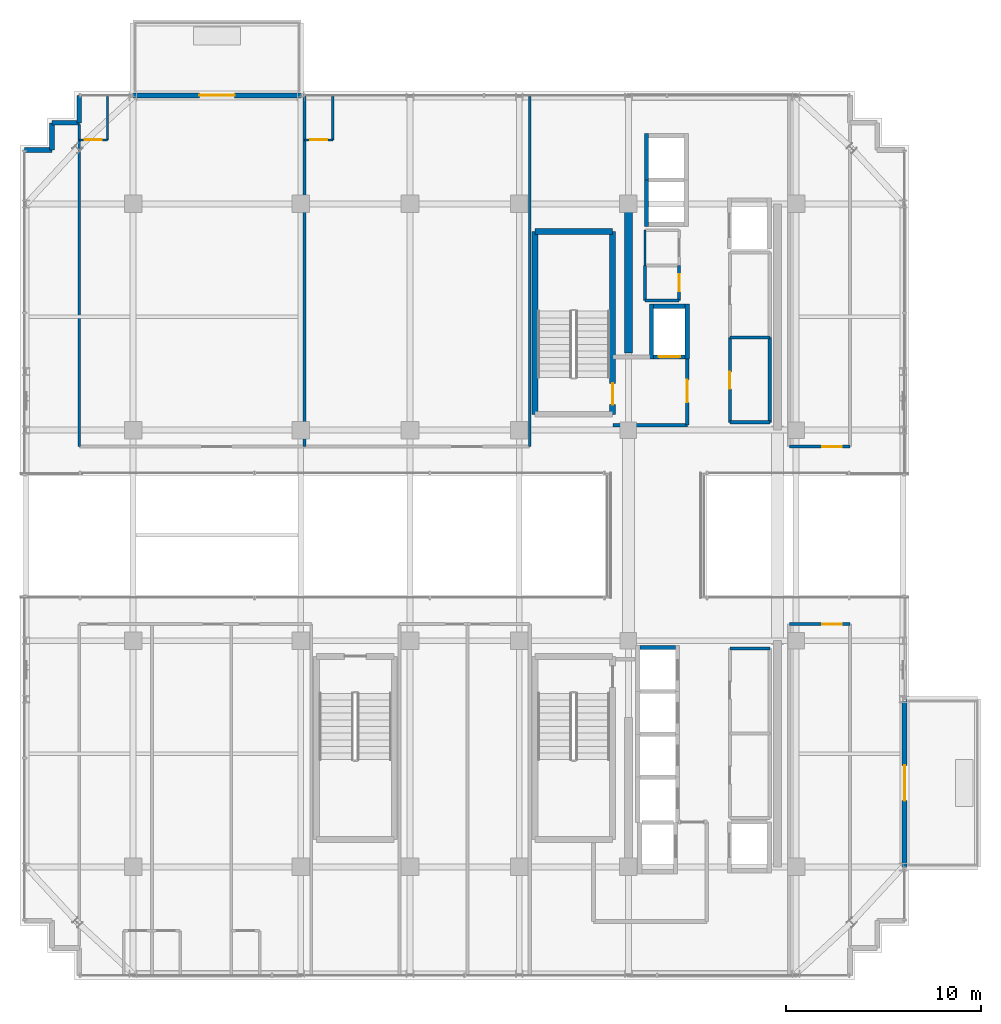
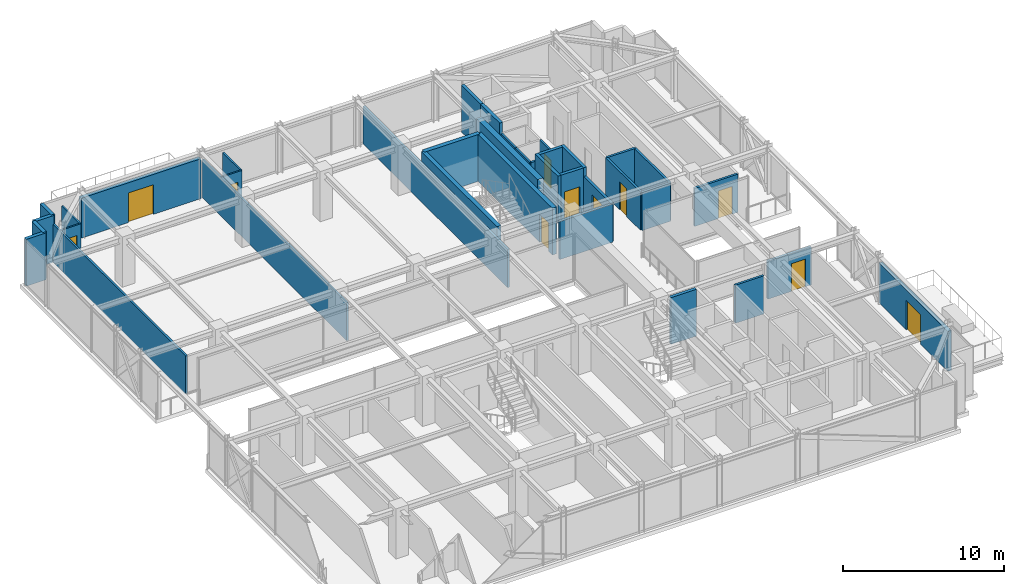
# One storey, part 34 of 39: 37 walls, 11 doors, 11 openings.
"""IFC4 building model written with IfcOpenShell, lengths in metres."""

from ifc_helpers import new_model, si_unit, direction, frame, frame_2d, origin, place, context, subcontext, project, spatial, rectangle, extrude, source, transform, mapped, material, layer, layer_set, type_object, element, fill, save


model = new_model("IFC4")

# Units and contexts
model_context = context("Model", 3, precision=1e-05, world=origin(), true_north=direction((0.0, 1.0)))
body_context = subcontext(model_context, "Body", "Model", "MODEL_VIEW")
ifc_project = project(units=[si_unit("LENGTHUNIT", "METRE"), si_unit("AREAUNIT", "SQUARE_METRE"), si_unit("VOLUMEUNIT", "CUBIC_METRE"), si_unit("PLANEANGLEUNIT", "RADIAN"), si_unit("MASSUNIT", "GRAM", prefix="KILO")], contexts=[model_context])

# Site, building, storey
site_placement = place(None, origin())
site = spatial("IfcSite", under=ifc_project, at=site_placement, CompositionType="ELEMENT")
building_placement = place(site_placement, origin())
building = spatial("IfcBuilding", under=site, at=building_placement, Name="Nahalor Promenade Grand Hotel", CompositionType="ELEMENT")
storey_placement = place(building_placement, frame((0.0, 0.0, 311.89990234375)))
storey = spatial("IfcBuildingStorey", under=building, at=storey_placement, Name="L80", CompositionType="ELEMENT", Elevation=311.89990234375)

# Walls
ifc_material_1 = material(Name="Concrete B-50 (C40/50)", Category="concrete")
ifc_layer_1 = layer(ifc_material_1, 0.39990234375)
ifc_layer_set_1 = layer_set([ifc_layer_1], Name="Concrete B-50 (C40/50)")
wall_type_1 = type_object("IfcWallType", Name="Wall-CoreShear-400", PredefinedType="SHEAR", material=ifc_layer_set_1)
shared_shape_1 = source(origin(), body_context, "Body", "SweptSolid", [
    extrude(rectangle(XDim=7.64990234375, YDim=0.39990234375, at=frame_2d((3.824951171875, 0.0))), origin(), (0.0, 0.0, 1.0), 3.550048828125),
])
wall_1_placement = place(storey_placement, frame((8.39990234375, 9.35009765625, 0.0), z_axis=(0.0, 0.0, 1.0), x_axis=(0.0, 1.0, 0.0)))
element("IfcWall", 1, at=wall_1_placement, inside=storey, type_object=wall_type_1, Name="CWALL-L80-NW", PredefinedType="SHEAR", context=body_context, shape_type="MappedRepresentation", body=[
    mapped(shared_shape_1, transform((0.0, 0.0, 0.0), scale=1.0)),
])
ifc_layer_2 = layer(ifc_material_1, 0.300048828125)
ifc_layer_set_2 = layer_set([ifc_layer_2], Name="Concrete B-50 (C40/50)")
wall_type_2 = type_object("IfcWallType", Name="Wall-ShaftShear-300", PredefinedType="SHEAR", material=ifc_layer_set_2)
shared_shape_2 = source(origin(), body_context, "Body", "SweptSolid", [
    extrude(rectangle(XDim=3.97998046875, YDim=0.300048828125, at=frame_2d((1.989990234375, 0.0))), origin(), (0.0, 0.0, 1.0), 3.550048828125),
])
wall_2_placement = place(storey_placement, frame((3.610107421875, 15.590087890625, 0.0), z_axis=(0.0, 0.0, 1.0), x_axis=(1.0, 0.0, 0.0)))
element("IfcWall", 2, at=wall_2_placement, inside=storey, type_object=wall_type_2, Name="L80 Exit Stair ST1 Shaft Wall N", PredefinedType="SHEAR", context=body_context, shape_type="MappedRepresentation", body=[
    mapped(shared_shape_2, transform((0.0, 0.0, 0.0), scale=1.0)),
])
shared_shape_3 = source(origin(), body_context, "Body", "SweptSolid", [
    extrude(rectangle(XDim=9.380126953125, YDim=0.300048828125, at=frame_2d((4.68994140625, 0.0))), origin(), (0.0, 0.0, 1.0), 3.550048828125),
])
wall_3_placement = place(storey_placement, frame((3.610107421875, 6.2099609375, 0.0), z_axis=(0.0, 0.0, 1.0), x_axis=(0.0, 1.0, 0.0)))
element("IfcWall", 3, at=wall_3_placement, inside=storey, type_object=wall_type_2, Name="L80 Exit Stair ST1 Shaft Wall W", PredefinedType="SHEAR", context=body_context, shape_type="MappedRepresentation", body=[
    mapped(shared_shape_3, transform((0.0, 0.0, 0.0), scale=1.0)),
])

# Wall, opening, door
wall_4_placement = place(storey_placement, frame((7.590087890625, 6.2099609375, 0.0), z_axis=(0.0, 0.0, 1.0), x_axis=(0.0, 1.0, 0.0)))
wall_4 = element("IfcWall", 4, at=wall_4_placement, inside=storey, type_object=wall_type_2, Name="L80 Exit Stair ST1 Shaft Wall E", PredefinedType="SHEAR", context=body_context, shape_type="MappedRepresentation", body=[
    mapped(shared_shape_3, transform((0.0, 0.0, 0.0), scale=1.0)),
])
opening_1_placement = place(wall_4_placement, frame((0.489990234375, 0.0, 0.0)))
opening_1 = element("IfcOpeningElement", 5, at=opening_1_placement, cuts=wall_4, Name="Opening D-ST1", PredefinedType="OPENING", context=body_context, shape_type="SweptSolid", body=[
    extrude(rectangle(XDim=1.10009765625, YDim=2.14990234375, at=frame_2d((0.550048828125, 1.074951171875))), frame((0.0, 0.159912109375, 0.0), z_axis=(0.0, -1.0, 0.0), x_axis=(1.0, 0.0, 0.0)), (0.0, 0.0, 1.0), 0.320068359375),
])
ifc_material_2 = material(Name="Steel S355JR", Category="steel")
door_type_1 = type_object("IfcDoorType", Name="Door-StairFire-1100", OperationType="NOTDEFINED", PredefinedType="DOOR", material=ifc_material_2)
shared_shape_4 = source(origin(), body_context, "Body", "SweptSolid", [
    extrude(rectangle(XDim=1.10009765625, YDim=2.14990234375, at=frame_2d((0.550048828125, 1.074951171875))), frame((0.0, 0.02490234375, 0.0), z_axis=(0.0, -1.0, 0.0), x_axis=(1.0, 0.0, 0.0)), (0.0, 0.0, 1.0), 0.050048828125),
])
door_1_placement = place(opening_1_placement, origin())
door_1 = element("IfcDoor", 6, at=door_1_placement, inside=storey, type_object=door_type_1, Name="DR-STAIR-ST1-L80", OperationType="SINGLE_SWING_LEFT", OverallHeight=2.14990234375, OverallWidth=1.10009765625, PredefinedType="DOOR", context=body_context, shape_type="MappedRepresentation", body=[
    mapped(shared_shape_4, transform((0.0, 0.0, 0.0), scale=1.0)),
])
fill(opening_1, door_1)

# Walls
ifc_layer_3 = layer(ifc_material_1, 0.219970703125)
ifc_layer_set_3 = layer_set([ifc_layer_3], Name="Concrete B-50 (C40/50)")
wall_type_3 = type_object("IfcWallType", Name="Wall-LiftShaft-220", PredefinedType="SHEAR", material=ifc_layer_set_3)
shared_shape_5 = source(origin(), body_context, "Body", "SweptSolid", [
    extrude(rectangle(XDim=1.820068359375, YDim=0.219970703125, at=frame_2d((0.91015625, 0.0))), origin(), (0.0, 0.0, 1.0), 3.550048828125),
])
wall_5_placement = place(storey_placement, frame((8.989990234375, -5.75, 0.0), z_axis=(0.0, 0.0, 1.0), x_axis=(1.0, 0.0, 0.0)))
element("IfcWall", 7, at=wall_5_placement, inside=storey, type_object=wall_type_3, Name="L80 Lift PL9 Hoistway Wall N", PredefinedType="SHEAR", context=body_context, shape_type="MappedRepresentation", body=[
    mapped(shared_shape_5, transform((0.0, 0.0, 0.0), scale=1.0)),
])
shared_shape_6 = source(origin(), body_context, "Body", "SweptSolid", [
    extrude(rectangle(XDim=2.385009765625, YDim=0.219970703125, at=frame_2d((1.1923828125, 0.0))), origin(), (0.0, 0.0, 1.0), 3.550048828125),
])
for number, where, z_axis, x_axis, name in (
    (8, (9.330078125, 15.840087890625, 0.0), (0.0, 0.0, 1.0), (0.0, 1.0, 0.0), "L80 Lift OB1 Hoistway Wall W"),
    (9, (9.330078125, 18.22509765625, 0.0), (0.0, 0.0, 1.0), (0.0, 1.0, 0.0), "L80 Lift OB2 Hoistway Wall W"),
):
    element("IfcWall", number, at=place(storey_placement, frame(where, z_axis=z_axis, x_axis=x_axis)), inside=storey, type_object=wall_type_3, Name=name, PredefinedType="SHEAR", context=body_context, shape_type="MappedRepresentation", body=[
        mapped(shared_shape_6, transform((0.0, 0.0, 0.0), scale=1.0)),
    ])
shared_shape_7 = source(origin(), body_context, "Body", "SweptSolid", [
    extrude(rectangle(XDim=2.820068359375, YDim=0.219970703125, at=frame_2d((1.41015625, 0.0))), origin(), (0.0, 0.0, 1.0), 3.550048828125),
])
for number, where, z_axis, x_axis, name in (
    (10, (9.580078125, 9.0400390625, 0.0), (0.0, 0.0, 1.0), (0.0, 1.0, 0.0), "L80 Lift FL1 Hoistway Wall W"),
    (11, (11.419921875, 9.0400390625, 0.0), (0.0, 0.0, 1.0), (0.0, 1.0, 0.0), "L80 Lift FL1 Hoistway Wall E"),
):
    element("IfcWall", number, at=place(storey_placement, frame(where, z_axis=z_axis, x_axis=x_axis)), inside=storey, type_object=wall_type_3, Name=name, PredefinedType="SHEAR", context=body_context, shape_type="MappedRepresentation", body=[
        mapped(shared_shape_7, transform((0.0, 0.0, 0.0), scale=1.0)),
    ])

# Wall, opening, door
shared_shape_8 = source(origin(), body_context, "Body", "SweptSolid", [
    extrude(rectangle(XDim=1.6201171875, YDim=0.219970703125, at=frame_2d((0.81005859375, 0.0))), origin(), (0.0, 0.0, 1.0), 3.550048828125),
])
wall_6_placement = place(storey_placement, frame((9.68994140625, 9.14990234375, 0.0), z_axis=(0.0, 0.0, 1.0), x_axis=(1.0, 0.0, 0.0)))
wall_6 = element("IfcWall", 12, at=wall_6_placement, inside=storey, type_object=wall_type_3, Name="L80 Lift FL1 Hoistway Wall S", PredefinedType="SHEAR", context=body_context, shape_type="MappedRepresentation", body=[
    mapped(shared_shape_8, transform((0.0, 0.0, 0.0), scale=1.0)),
])
opening_2_placement = place(wall_6_placement, frame((0.260009765625, 0.0, 0.0)))
opening_2 = element("IfcOpeningElement", 13, at=opening_2_placement, cuts=wall_6, Name="Opening LD-02", PredefinedType="OPENING", context=body_context, shape_type="SweptSolid", body=[
    extrude(rectangle(XDim=1.10009765625, YDim=2.199951171875, at=frame_2d((0.550048828125, 1.10009765625))), frame((0.0, 0.119873046875, 0.0), z_axis=(0.0, -1.0, 0.0), x_axis=(1.0, 0.0, 0.0)), (0.0, 0.0, 1.0), 0.239990234375),
])
door_type_2 = type_object("IfcDoorType", Name="Door-LiftFF-1100", OperationType="DOUBLE_DOOR_SLIDING", PredefinedType="DOOR", material=ifc_material_2)
shared_shape_9 = source(origin(), body_context, "Body", "SweptSolid", [
    extrude(rectangle(XDim=1.10009765625, YDim=2.199951171875, at=frame_2d((0.550048828125, 1.10009765625))), frame((0.0, 0.02490234375, 0.0), z_axis=(0.0, -1.0, 0.0), x_axis=(1.0, 0.0, 0.0)), (0.0, 0.0, 1.0), 0.050048828125),
])
door_2_placement = place(opening_2_placement, frame((1.10009765625, 0.0, 0.0), z_axis=(0.0, 0.0, 1.0), x_axis=(-1.0, 0.0, 0.0)))
door_2 = element("IfcDoor", 14, at=door_2_placement, inside=storey, type_object=door_type_2, Name="DR-LIFT-FL1-L80", OperationType="DOUBLE_DOOR_SLIDING", OverallHeight=2.199951171875, OverallWidth=1.10009765625, PredefinedType="DOOR", context=body_context, shape_type="MappedRepresentation", body=[
    mapped(shared_shape_9, transform((0.0, 0.0, 0.0), scale=1.0)),
])
fill(opening_2, door_2)

# Walls
wall_7_placement = place(storey_placement, frame((9.68994140625, 11.75, 0.0), z_axis=(0.0, 0.0, 1.0), x_axis=(1.0, 0.0, 0.0)))
element("IfcWall", 15, at=wall_7_placement, inside=storey, type_object=wall_type_3, Name="L80 Lift FL1 Hoistway Wall N", PredefinedType="SHEAR", context=body_context, shape_type="MappedRepresentation", body=[
    mapped(shared_shape_8, transform((0.0, 0.0, 0.0), scale=1.0)),
])
ifc_material_3 = material(Name="Concrete B-40 (C32/40)", Category="concrete")
ifc_layer_4 = layer(ifc_material_3, 0.25)
ifc_layer_set_4 = layer_set([ifc_layer_4], Name="Concrete B-40 (C32/40)")
wall_type_4 = type_object("IfcWallType", Name="Wall-BronzePier-250", PredefinedType="STANDARD", material=ifc_layer_set_4)
shared_shape_10 = source(origin(), body_context, "Body", "SweptSolid", [
    extrude(rectangle(XDim=1.400146484375, YDim=0.25, at=frame_2d((0.7001953125, 0.0))), origin(), (0.0, 0.0, 1.0), 3.550048828125),
])
for number, where, z_axis, x_axis, name in (
    (16, (-19.760009765625, 21.159912109375, 0.0), (0.0, 0.0, 1.0), (0.0, 1.0, 0.0), "W-L80-SR-09"),
    (17, (-22.56005859375, 19.760009765625, 0.0), (0.0, 0.0, 1.0), (1.0, 0.0, 0.0), "W-L80-SR-12"),
):
    element("IfcWall", number, at=place(storey_placement, frame(where, z_axis=z_axis, x_axis=x_axis)), inside=storey, type_object=wall_type_4, Name=name, PredefinedType="STANDARD", context=body_context, shape_type="MappedRepresentation", body=[
        mapped(shared_shape_10, transform((0.0, 0.0, 0.0), scale=1.0)),
    ])
shared_shape_11 = source(origin(), body_context, "Body", "SweptSolid", [
    extrude(rectangle(XDim=1.39990234375, YDim=0.25, at=frame_2d((0.699951171875, 0.0))), origin(), (0.0, 0.0, 1.0), 3.550048828125),
])
for number, where, z_axis, x_axis, name in (
    (18, (-21.159912109375, 21.159912109375, 0.0), (0.0, 0.0, 1.0), (1.0, 0.0, 0.0), "W-L80-SR-10"),
    (19, (-21.159912109375, 19.760009765625, 0.0), (0.0, 0.0, 1.0), (0.0, 1.0, 0.0), "W-L80-SR-11"),
):
    element("IfcWall", number, at=place(storey_placement, frame(where, z_axis=z_axis, x_axis=x_axis)), inside=storey, type_object=wall_type_4, Name=name, PredefinedType="STANDARD", context=body_context, shape_type="MappedRepresentation", body=[
        mapped(shared_shape_11, transform((0.0, 0.0, 0.0), scale=1.0)),
    ])

# Wall, opening, door
ifc_layer_5 = layer(ifc_material_3, 0.260009765625)
ifc_layer_set_5 = layer_set([ifc_layer_5], Name="Concrete B-40 (C32/40)")
wall_type_5 = type_object("IfcWallType", Name="Wall-BalconyWall-260", PredefinedType="STANDARD", material=ifc_layer_set_5)
shared_shape_12 = source(origin(), body_context, "Body", "SweptSolid", [
    extrude(rectangle(XDim=8.60009765625, YDim=0.260009765625, at=frame_2d((4.300048828125, 0.0))), origin(), (0.0, 0.0, 1.0), 3.030029296875),
])
wall_8_placement = place(storey_placement, frame((-17.0, 22.56005859375, 0.0), z_axis=(0.0, 0.0, 1.0), x_axis=(1.0, 0.0, 0.0)))
wall_8 = element("IfcWall", 20, at=wall_8_placement, inside=storey, type_object=wall_type_5, Name="W-L80-BALC-N-2", PredefinedType="STANDARD", context=body_context, shape_type="MappedRepresentation", body=[
    mapped(shared_shape_12, transform((0.0, 0.0, 0.0), scale=1.0)),
])
opening_3_placement = place(wall_8_placement, frame((3.39990234375, 0.0, 0.0)))
opening_3 = element("IfcOpeningElement", 21, at=opening_3_placement, cuts=wall_8, Name="Opening D-BC1", PredefinedType="OPENING", context=body_context, shape_type="SweptSolid", body=[
    extrude(rectangle(XDim=1.800048828125, YDim=2.25, at=frame_2d((0.89990234375, 1.125))), frame((0.0, 0.139892578125, 0.0), z_axis=(0.0, -1.0, 0.0), x_axis=(1.0, 0.0, 0.0)), (0.0, 0.0, 1.0), 0.280029296875),
])
ifc_material_4 = material(Name="Anodised Bronze Aluminium EN AW-6063 T6", Category="aluminium")
door_type_3 = type_object("IfcDoorType", Name="Door-BalconySlide-1800", OperationType="DOUBLE_DOOR_SLIDING", PredefinedType="DOOR", material=ifc_material_4)
shared_shape_13 = source(origin(), body_context, "Body", "SweptSolid", [
    extrude(rectangle(XDim=1.800048828125, YDim=2.25, at=frame_2d((0.89990234375, 1.125))), frame((0.0, 0.02490234375, 0.0), z_axis=(0.0, -1.0, 0.0), x_axis=(1.0, 0.0, 0.0)), (0.0, 0.0, 1.0), 0.050048828125),
])
door_3_placement = place(opening_3_placement, origin())
door_3 = element("IfcDoor", 22, at=door_3_placement, inside=storey, type_object=door_type_3, Name="DR-L80-BALC-N-2", OperationType="DOUBLE_DOOR_SLIDING", OverallHeight=2.25, OverallWidth=1.800048828125, PredefinedType="DOOR", context=body_context, shape_type="MappedRepresentation", body=[
    mapped(shared_shape_13, transform((0.0, 0.0, 0.0), scale=1.0)),
])
fill(opening_3, door_3)

wall_9_placement = place(storey_placement, frame((22.56005859375, -17.0, 0.0), z_axis=(0.0, 0.0, 1.0), x_axis=(0.0, 1.0, 0.0)))
wall_9 = element("IfcWall", 23, at=wall_9_placement, inside=storey, type_object=wall_type_5, Name="W-L80-BALC-E-2", PredefinedType="STANDARD", context=body_context, shape_type="MappedRepresentation", body=[
    mapped(shared_shape_12, transform((0.0, 0.0, 0.0), scale=1.0)),
])
opening_4_placement = place(wall_9_placement, frame((3.39990234375, 0.0, 0.0)))
opening_4 = element("IfcOpeningElement", 24, at=opening_4_placement, cuts=wall_9, Name="Opening D-BC1", PredefinedType="OPENING", context=body_context, shape_type="SweptSolid", body=[
    extrude(rectangle(XDim=1.800048828125, YDim=2.25, at=frame_2d((0.89990234375, 1.125))), frame((0.0, 0.139892578125, 0.0), z_axis=(0.0, -1.0, 0.0), x_axis=(1.0, 0.0, 0.0)), (0.0, 0.0, 1.0), 0.280029296875),
])
door_4_placement = place(opening_4_placement, frame((1.800048828125, 0.0, 0.0), z_axis=(0.0, 0.0, 1.0), x_axis=(-1.0, 0.0, 0.0)))
door_4 = element("IfcDoor", 25, at=door_4_placement, inside=storey, type_object=door_type_3, Name="DR-L80-BALC-E-2", OperationType="DOUBLE_DOOR_SLIDING", OverallHeight=2.25, OverallWidth=1.800048828125, PredefinedType="DOOR", context=body_context, shape_type="MappedRepresentation", body=[
    mapped(shared_shape_13, transform((0.0, 0.0, 0.0), scale=1.0)),
])
fill(opening_4, door_4)

# Wall
ifc_layer_6 = layer(ifc_material_3, 0.199951171875)
ifc_layer_set_6 = layer_set([ifc_layer_6], Name="Concrete B-40 (C32/40)")
wall_type_6 = type_object("IfcWallType", Name="Wall-PartFire-200", PredefinedType="PARTITIONING", material=ifc_layer_set_6)
shared_shape_14 = source(origin(), body_context, "Body", "SweptSolid", [
    extrude(rectangle(XDim=3.81982421875, YDim=0.199951171875, at=frame_2d((1.909912109375, 0.0))), origin(), (0.0, 0.0, 1.0), 2.89013671875),
])
wall_10_placement = place(storey_placement, frame((7.60009765625, 5.64990234375, 0.0), z_axis=(0.0, 0.0, 1.0), x_axis=(1.0, 0.0, 0.0)))
element("IfcWall", 26, at=wall_10_placement, inside=storey, type_object=wall_type_6, Name="W-L80-FF1-S", PredefinedType="PARTITIONING", context=body_context, shape_type="MappedRepresentation", body=[
    mapped(shared_shape_14, transform((0.0, 0.0, 0.0), scale=1.0)),
])

# Wall, opening, door
shared_shape_15 = source(origin(), body_context, "Body", "SweptSolid", [
    extrude(rectangle(XDim=3.5, YDim=0.199951171875, at=frame_2d((1.75, 0.0))), origin(), (0.0, 0.0, 1.0), 2.89013671875),
])
wall_11_placement = place(storey_placement, frame((11.419921875, 5.64990234375, 0.0), z_axis=(0.0, 0.0, 1.0), x_axis=(0.0, 1.0, 0.0)))
wall_11 = element("IfcWall", 27, at=wall_11_placement, inside=storey, type_object=wall_type_6, Name="W-L80-FF1-E", PredefinedType="PARTITIONING", context=body_context, shape_type="MappedRepresentation", body=[
    mapped(shared_shape_15, transform((0.0, 0.0, 0.0), scale=1.0)),
])
opening_5_placement = place(wall_11_placement, frame((1.175048828125, 0.0, 0.0)))
opening_5 = element("IfcOpeningElement", 28, at=opening_5_placement, cuts=wall_11, Name="Opening D-FF1", PredefinedType="OPENING", context=body_context, shape_type="SweptSolid", body=[
    extrude(rectangle(XDim=1.14990234375, YDim=2.14990234375, at=frame_2d((0.574951171875, 1.074951171875))), frame((0.0, 0.10986328125, 0.0), z_axis=(0.0, -1.0, 0.0), x_axis=(1.0, 0.0, 0.0)), (0.0, 0.0, 1.0), 0.219970703125),
])
door_type_4 = type_object("IfcDoorType", Name="Door-FFLobby-1150", OperationType="NOTDEFINED", PredefinedType="DOOR", material=ifc_material_2)
shared_shape_16 = source(origin(), body_context, "Body", "SweptSolid", [
    extrude(rectangle(XDim=1.14990234375, YDim=2.14990234375, at=frame_2d((0.574951171875, 1.074951171875))), frame((0.0, 0.02490234375, 0.0), z_axis=(0.0, -1.0, 0.0), x_axis=(1.0, 0.0, 0.0)), (0.0, 0.0, 1.0), 0.050048828125),
])
door_5_placement = place(opening_5_placement, frame((1.14990234375, 0.0, 0.0), z_axis=(0.0, 0.0, 1.0), x_axis=(-1.0, 0.0, 0.0)))
door_5 = element("IfcDoor", 29, at=door_5_placement, inside=storey, type_object=door_type_4, Name="DR-L80-FFL1", OperationType="SINGLE_SWING_RIGHT", OverallHeight=2.14990234375, OverallWidth=1.14990234375, PredefinedType="DOOR", context=body_context, shape_type="MappedRepresentation", body=[
    mapped(shared_shape_16, transform((0.0, 0.0, 0.0), scale=1.0)),
])
fill(opening_5, door_5)

# Walls
ifc_material_5 = material(Name="Acoustic Mineral Gypsum", Category="gypsum")
ifc_layer_7 = layer(ifc_material_5, 0.14990234375)
ifc_layer_set_7 = layer_set([ifc_layer_7], Name="Acoustic Mineral Gypsum")
wall_type_7 = type_object("IfcWallType", Name="Wall-PartService-150", PredefinedType="PARTITIONING", material=ifc_layer_set_7)
shared_shape_17 = source(origin(), body_context, "Body", "SweptSolid", [
    extrude(rectangle(XDim=1.75, YDim=0.14990234375, at=frame_2d((0.875, 0.0))), origin(), (0.0, 0.0, 1.0), 2.89013671875),
])
wall_12_placement = place(storey_placement, frame((9.25, 12.050048828125, 0.0), z_axis=(0.0, 0.0, 1.0), x_axis=(1.0, 0.0, 0.0)))
element("IfcWall", 30, at=wall_12_placement, inside=storey, type_object=wall_type_7, Name="W-L80-CK2A-S", PredefinedType="PARTITIONING", context=body_context, shape_type="MappedRepresentation", body=[
    mapped(shared_shape_17, transform((0.0, 0.0, 0.0), scale=1.0)),
])
ifc_layer_8 = layer(ifc_material_5, 0.159912109375)
ifc_layer_set_8 = layer_set([ifc_layer_8], Name="Acoustic Mineral Gypsum")
wall_type_8 = type_object("IfcWallType", Name="Wall-PartCorridor-160", PredefinedType="PARTITIONING", material=ifc_layer_set_8)
shared_shape_18 = source(origin(), body_context, "Body", "SweptSolid", [
    extrude(rectangle(XDim=2.0498046875, YDim=0.159912109375, at=frame_2d((1.02490234375, 0.0))), origin(), (0.0, 0.0, 1.0), 2.89013671875),
])
for number, where, z_axis, x_axis, name in (
    (31, (13.60009765625, 5.800048828125, 0.0), (0.0, 0.0, 1.0), (1.0, 0.0, 0.0), "W-L80-FRB1A-S"),
    (32, (13.60009765625, 10.14990234375, 0.0), (0.0, 0.0, 1.0), (1.0, 0.0, 0.0), "W-L80-FRB1A-N"),
    (33, (13.60009765625, -5.800048828125, 0.0), (0.0, 0.0, 1.0), (1.0, 0.0, 0.0), "W-L80-FRB2B-N"),
):
    element("IfcWall", number, at=place(storey_placement, frame(where, z_axis=z_axis, x_axis=x_axis)), inside=storey, type_object=wall_type_8, Name=name, PredefinedType="PARTITIONING", context=body_context, shape_type="MappedRepresentation", body=[
        mapped(shared_shape_18, transform((0.0, 0.0, 0.0), scale=1.0)),
    ])

# Wall, opening, door
shared_shape_19 = source(origin(), body_context, "Body", "SweptSolid", [
    extrude(rectangle(XDim=3.110107421875, YDim=0.159912109375, at=frame_2d((1.55517578125, 0.0))), origin(), (0.0, 0.0, 1.0), 2.89013671875),
])
wall_13_placement = place(storey_placement, frame((16.64990234375, 4.550048828125, 0.0), z_axis=(0.0, 0.0, 1.0), x_axis=(1.0, 0.0, 0.0)))
wall_13 = element("IfcWall", 34, at=wall_13_placement, inside=storey, type_object=wall_type_8, Name="W-L80-ENE-S", PredefinedType="PARTITIONING", context=body_context, shape_type="MappedRepresentation", body=[
    mapped(shared_shape_19, transform((0.0, 0.0, 0.0), scale=1.0)),
])
opening_6_placement = place(wall_13_placement, frame((1.700927734375, 0.0, 0.0)))
opening_6 = element("IfcOpeningElement", 35, at=opening_6_placement, cuts=wall_13, Name="Opening D-04", PredefinedType="OPENING", context=body_context, shape_type="SweptSolid", body=[
    extrude(rectangle(XDim=1.0, YDim=2.10009765625, at=frame_2d((0.5, 1.050048828125))), frame((0.0, 0.08984375, 0.0), z_axis=(0.0, -1.0, 0.0), x_axis=(1.0, 0.0, 0.0)), (0.0, 0.0, 1.0), 0.179931640625),
])
door_type_5 = type_object("IfcDoorType", Name="Door-ServiceFire-1000", OperationType="NOTDEFINED", PredefinedType="DOOR", material=ifc_material_2)
shared_shape_20 = source(origin(), body_context, "Body", "SweptSolid", [
    extrude(rectangle(XDim=1.0, YDim=2.10009765625, at=frame_2d((0.5, 1.050048828125))), frame((0.0, 0.02490234375, 0.0), z_axis=(0.0, -1.0, 0.0), x_axis=(1.0, 0.0, 0.0)), (0.0, 0.0, 1.0), 0.050048828125),
])
door_6_placement = place(opening_6_placement, origin())
door_6 = element("IfcDoor", 36, at=door_6_placement, inside=storey, type_object=door_type_5, Name="DR-L80-ENE", OperationType="SINGLE_SWING_RIGHT", OverallHeight=2.10009765625, OverallWidth=1.0, PredefinedType="DOOR", context=body_context, shape_type="MappedRepresentation", body=[
    mapped(shared_shape_20, transform((0.0, 0.0, 0.0), scale=1.0)),
])
fill(opening_6, door_6)

wall_14_placement = place(storey_placement, frame((16.64990234375, -4.550048828125, 0.0), z_axis=(0.0, 0.0, 1.0), x_axis=(1.0, 0.0, 0.0)))
wall_14 = element("IfcWall", 37, at=wall_14_placement, inside=storey, type_object=wall_type_8, Name="W-L80-ESE-N", PredefinedType="PARTITIONING", context=body_context, shape_type="MappedRepresentation", body=[
    mapped(shared_shape_19, transform((0.0, 0.0, 0.0), scale=1.0)),
])
opening_7_placement = place(wall_14_placement, frame((1.700927734375, 0.0, 0.0)))
opening_7 = element("IfcOpeningElement", 38, at=opening_7_placement, cuts=wall_14, Name="Opening D-04", PredefinedType="OPENING", context=body_context, shape_type="SweptSolid", body=[
    extrude(rectangle(XDim=1.0, YDim=2.10009765625, at=frame_2d((0.5, 1.050048828125))), frame((0.0, 0.08984375, 0.0), z_axis=(0.0, -1.0, 0.0), x_axis=(1.0, 0.0, 0.0)), (0.0, 0.0, 1.0), 0.179931640625),
])
door_7_placement = place(opening_7_placement, frame((1.0, 0.0, 0.0), z_axis=(0.0, 0.0, 1.0), x_axis=(-1.0, 0.0, 0.0)))
door_7 = element("IfcDoor", 39, at=door_7_placement, inside=storey, type_object=door_type_5, Name="DR-L80-ESE", OperationType="SINGLE_SWING_LEFT", OverallHeight=2.10009765625, OverallWidth=1.0, PredefinedType="DOOR", context=body_context, shape_type="MappedRepresentation", body=[
    mapped(shared_shape_20, transform((0.0, 0.0, 0.0), scale=1.0)),
])
fill(opening_7, door_7)

# Walls
ifc_layer_9 = layer(ifc_material_5, 0.139892578125)
ifc_layer_set_9 = layer_set([ifc_layer_9], Name="Acoustic Mineral Gypsum")
wall_type_9 = type_object("IfcWallType", Name="Wall-PartSuite-140", PredefinedType="PARTITIONING", material=ifc_layer_set_9)
shared_shape_21 = source(origin(), body_context, "Body", "SweptSolid", [
    extrude(rectangle(XDim=16.530029296875, YDim=0.139892578125, at=frame_2d((8.26513671875, 0.0))), origin(), (0.0, 0.0, 1.0), 2.89013671875),
])
wall_15_placement = place(storey_placement, frame((-19.760009765625, 4.550048828125, 0.0), z_axis=(0.0, 0.0, 1.0), x_axis=(0.0, 1.0, 0.0)))
element("IfcWall", 40, at=wall_15_placement, inside=storey, type_object=wall_type_9, Name="W-L80-NW-ENDW", PredefinedType="PARTITIONING", context=body_context, shape_type="MappedRepresentation", body=[
    mapped(shared_shape_21, transform((0.0, 0.0, 0.0), scale=1.0)),
])
shared_shape_22 = source(origin(), body_context, "Body", "SweptSolid", [
    extrude(rectangle(XDim=17.949951171875, YDim=0.139892578125, at=frame_2d((8.97509765625, 0.0))), origin(), (0.0, 0.0, 1.0), 2.89013671875),
])
for number, where, z_axis, x_axis, name in (
    (41, (3.340087890625, 4.550048828125, 0.0), (0.0, 0.0, 1.0), (0.0, 1.0, 0.0), "W-L80-NW-ENDE"),
    (42, (-8.2099609375, 4.550048828125, 0.0), (0.0, 0.0, 1.0), (0.0, 1.0, 0.0), "W-L80-NP-1"),
):
    element("IfcWall", number, at=place(storey_placement, frame(where, z_axis=z_axis, x_axis=x_axis)), inside=storey, type_object=wall_type_9, Name=name, PredefinedType="PARTITIONING", context=body_context, shape_type="MappedRepresentation", body=[
        mapped(shared_shape_22, transform((0.0, 0.0, 0.0), scale=1.0)),
    ])

# Wall, opening, door
ifc_layer_10 = layer(ifc_material_5, 0.1201171875)
ifc_layer_set_10 = layer_set([ifc_layer_10], Name="Acoustic Mineral Gypsum")
wall_type_10 = type_object("IfcWallType", Name="Wall-PartBath-120", PredefinedType="PARTITIONING", material=ifc_layer_set_10)
shared_shape_23 = source(origin(), body_context, "Body", "SweptSolid", [
    extrude(rectangle(XDim=1.449951171875, YDim=0.1201171875, at=frame_2d((0.72509765625, 0.0))), origin(), (0.0, 0.0, 1.0), 2.89013671875),
])
wall_16_placement = place(storey_placement, frame((-19.760009765625, 20.280029296875, 0.0), z_axis=(0.0, 0.0, 1.0), x_axis=(1.0, 0.0, 0.0)))
wall_16 = element("IfcWall", 43, at=wall_16_placement, inside=storey, type_object=wall_type_10, Name="W-L80-N1-BH", PredefinedType="PARTITIONING", context=body_context, shape_type="MappedRepresentation", body=[
    mapped(shared_shape_23, transform((0.0, 0.0, 0.0), scale=1.0)),
])
opening_8_placement = place(wall_16_placement, frame((0.284912109375, 0.0, 0.0)))
opening_8 = element("IfcOpeningElement", 44, at=opening_8_placement, cuts=wall_16, Name="Opening D-03", PredefinedType="OPENING", context=body_context, shape_type="SweptSolid", body=[
    extrude(rectangle(XDim=0.8798828125, YDim=2.10009765625, at=frame_2d((0.43994140625, 1.050048828125))), frame((0.0, 0.070068359375, 0.0), z_axis=(0.0, -1.0, 0.0), x_axis=(1.0, 0.0, 0.0)), (0.0, 0.0, 1.0), 0.14013671875),
])
ifc_material_6 = material(Name="Fire-Rated Timber Composite", Category="wood")
door_type_6 = type_object("IfcDoorType", Name="Door-BathSwing-880", OperationType="NOTDEFINED", PredefinedType="DOOR", material=ifc_material_6)
shared_shape_24 = source(origin(), body_context, "Body", "SweptSolid", [
    extrude(rectangle(XDim=0.8798828125, YDim=2.10009765625, at=frame_2d((0.43994140625, 1.050048828125))), frame((0.0, 0.02490234375, 0.0), z_axis=(0.0, -1.0, 0.0), x_axis=(1.0, 0.0, 0.0)), (0.0, 0.0, 1.0), 0.050048828125),
])
door_8_placement = place(opening_8_placement, origin())
door_8 = element("IfcDoor", 45, at=door_8_placement, inside=storey, type_object=door_type_6, Name="DR-L80-N1-BATH", OperationType="SINGLE_SWING_RIGHT", OverallHeight=2.10009765625, OverallWidth=0.8798828125, PredefinedType="DOOR", context=body_context, shape_type="MappedRepresentation", body=[
    mapped(shared_shape_24, transform((0.0, 0.0, 0.0), scale=1.0)),
])
fill(opening_8, door_8)

wall_17_placement = place(storey_placement, frame((-8.2099609375, 20.280029296875, 0.0), z_axis=(0.0, 0.0, 1.0), x_axis=(1.0, 0.0, 0.0)))
wall_17 = element("IfcWall", 46, at=wall_17_placement, inside=storey, type_object=wall_type_10, Name="W-L80-N2-BH", PredefinedType="PARTITIONING", context=body_context, shape_type="MappedRepresentation", body=[
    mapped(shared_shape_23, transform((0.0, 0.0, 0.0), scale=1.0)),
])
opening_9_placement = place(wall_17_placement, frame((0.284912109375, 0.0, 0.0)))
opening_9 = element("IfcOpeningElement", 47, at=opening_9_placement, cuts=wall_17, Name="Opening D-03", PredefinedType="OPENING", context=body_context, shape_type="SweptSolid", body=[
    extrude(rectangle(XDim=0.8798828125, YDim=2.10009765625, at=frame_2d((0.43994140625, 1.050048828125))), frame((0.0, 0.070068359375, 0.0), z_axis=(0.0, -1.0, 0.0), x_axis=(1.0, 0.0, 0.0)), (0.0, 0.0, 1.0), 0.14013671875),
])
door_9_placement = place(opening_9_placement, origin())
door_9 = element("IfcDoor", 48, at=door_9_placement, inside=storey, type_object=door_type_6, Name="DR-L80-N2-BATH", OperationType="SINGLE_SWING_LEFT", OverallHeight=2.10009765625, OverallWidth=0.8798828125, PredefinedType="DOOR", context=body_context, shape_type="MappedRepresentation", body=[
    mapped(shared_shape_24, transform((0.0, 0.0, 0.0), scale=1.0)),
])
fill(opening_9, door_9)

# Walls
shared_shape_25 = source(origin(), body_context, "Body", "SweptSolid", [
    extrude(rectangle(XDim=2.219970703125, YDim=0.1201171875, at=frame_2d((1.10986328125, 0.0))), origin(), (0.0, 0.0, 1.0), 2.89013671875),
])
for number, where, z_axis, x_axis, name in (
    (49, (-18.31005859375, 20.280029296875, 0.0), (0.0, 0.0, 1.0), (0.0, 1.0, 0.0), "W-L80-N1-BV"),
    (50, (-6.760009765625, 20.280029296875, 0.0), (0.0, 0.0, 1.0), (0.0, 1.0, 0.0), "W-L80-N2-BV"),
):
    element("IfcWall", number, at=place(storey_placement, frame(where, z_axis=z_axis, x_axis=x_axis)), inside=storey, type_object=wall_type_10, Name=name, PredefinedType="PARTITIONING", context=body_context, shape_type="MappedRepresentation", body=[
        mapped(shared_shape_25, transform((0.0, 0.0, 0.0), scale=1.0)),
    ])
shared_shape_26 = source(origin(), body_context, "Body", "SweptSolid", [
    extrude(rectangle(XDim=1.800048828125, YDim=0.14990234375, at=frame_2d((0.89990234375, 0.0))), origin(), (0.0, 0.0, 1.0), 2.89013671875),
])
wall_18_placement = place(storey_placement, frame((9.25, 12.050048828125, 0.0), z_axis=(0.0, 0.0, 1.0), x_axis=(0.0, 1.0, 0.0)))
element("IfcWall", 51, at=wall_18_placement, inside=storey, type_object=wall_type_7, Name="W-L80-CK2A-W", PredefinedType="PARTITIONING", context=body_context, shape_type="MappedRepresentation", body=[
    mapped(shared_shape_26, transform((0.0, 0.0, 0.0), scale=1.0)),
])

# Wall, opening, door
wall_19_placement = place(storey_placement, frame((11.0, 12.050048828125, 0.0), z_axis=(0.0, 0.0, 1.0), x_axis=(0.0, 1.0, 0.0)))
wall_19 = element("IfcWall", 52, at=wall_19_placement, inside=storey, type_object=wall_type_7, Name="W-L80-CK2A-E", PredefinedType="PARTITIONING", context=body_context, shape_type="MappedRepresentation", body=[
    mapped(shared_shape_26, transform((0.0, 0.0, 0.0), scale=1.0)),
])
opening_10_placement = place(wall_19_placement, frame((0.4599609375, 0.0, 0.0)))
opening_10 = element("IfcOpeningElement", 53, at=opening_10_placement, cuts=wall_19, Name="Opening D-03", PredefinedType="OPENING", context=body_context, shape_type="SweptSolid", body=[
    extrude(rectangle(XDim=0.8798828125, YDim=2.10009765625, at=frame_2d((0.43994140625, 1.050048828125))), frame((0.0, 0.0849609375, 0.0), z_axis=(0.0, -1.0, 0.0), x_axis=(1.0, 0.0, 0.0)), (0.0, 0.0, 1.0), 0.169921875),
])
door_10_placement = place(opening_10_placement, origin())
door_10 = element("IfcDoor", 54, at=door_10_placement, inside=storey, type_object=door_type_6, Name="DR-L80-CK2A", OperationType="SINGLE_SWING_RIGHT", OverallHeight=2.10009765625, OverallWidth=0.8798828125, PredefinedType="DOOR", context=body_context, shape_type="MappedRepresentation", body=[
    mapped(shared_shape_24, transform((0.0, 0.0, 0.0), scale=1.0)),
])
fill(opening_10, door_10)

# Wall
shared_shape_27 = source(origin(), body_context, "Body", "SweptSolid", [
    extrude(rectangle(XDim=1.7998046875, YDim=0.1201171875, at=frame_2d((0.89990234375, 0.0))), origin(), (0.0, 0.0, 1.0), 2.89013671875),
])
wall_20_placement = place(storey_placement, frame((9.25, 13.85009765625, 0.0), z_axis=(0.0, 0.0, 1.0), x_axis=(0.0, 1.0, 0.0)))
element("IfcWall", 55, at=wall_20_placement, inside=storey, type_object=wall_type_10, Name="W-L80-CK2B-W", PredefinedType="PARTITIONING", context=body_context, shape_type="MappedRepresentation", body=[
    mapped(shared_shape_27, transform((0.0, 0.0, 0.0), scale=1.0)),
])

# Wall, opening, door
shared_shape_28 = source(origin(), body_context, "Body", "SweptSolid", [
    extrude(rectangle(XDim=4.349853515625, YDim=0.159912109375, at=frame_2d((2.1748046875, 0.0))), origin(), (0.0, 0.0, 1.0), 2.89013671875),
])
wall_21_placement = place(storey_placement, frame((13.60009765625, 5.800048828125, 0.0), z_axis=(0.0, 0.0, 1.0), x_axis=(0.0, 1.0, 0.0)))
wall_21 = element("IfcWall", 56, at=wall_21_placement, inside=storey, type_object=wall_type_8, Name="W-L80-FRB1A-W", PredefinedType="PARTITIONING", context=body_context, shape_type="MappedRepresentation", body=[
    mapped(shared_shape_28, transform((0.0, 0.0, 0.0), scale=1.0)),
])
opening_11_placement = place(wall_21_placement, frame((1.7099609375, 0.0, 0.0)))
opening_11 = element("IfcOpeningElement", 57, at=opening_11_placement, cuts=wall_21, Name="Opening D-03", PredefinedType="OPENING", context=body_context, shape_type="SweptSolid", body=[
    extrude(rectangle(XDim=0.8798828125, YDim=2.10009765625, at=frame_2d((0.43994140625, 1.050048828125))), frame((0.0, 0.08984375, 0.0), z_axis=(0.0, -1.0, 0.0), x_axis=(1.0, 0.0, 0.0)), (0.0, 0.0, 1.0), 0.179931640625),
])
door_11_placement = place(opening_11_placement, frame((0.8798828125, 0.0, 0.0), z_axis=(0.0, 0.0, 1.0), x_axis=(-1.0, 0.0, 0.0)))
door_11 = element("IfcDoor", 58, at=door_11_placement, inside=storey, type_object=door_type_6, Name="DR-L80-FRB1A", OperationType="SINGLE_SWING_RIGHT", OverallHeight=2.10009765625, OverallWidth=0.8798828125, PredefinedType="DOOR", context=body_context, shape_type="MappedRepresentation", body=[
    mapped(shared_shape_24, transform((0.0, 0.0, 0.0), scale=1.0)),
])
fill(opening_11, door_11)

# Wall
wall_22_placement = place(storey_placement, frame((15.64990234375, 5.800048828125, 0.0), z_axis=(0.0, 0.0, 1.0), x_axis=(0.0, 1.0, 0.0)))
element("IfcWall", 59, at=wall_22_placement, inside=storey, type_object=wall_type_8, Name="W-L80-FRB1A-E", PredefinedType="PARTITIONING", context=body_context, shape_type="MappedRepresentation", body=[
    mapped(shared_shape_28, transform((0.0, 0.0, 0.0), scale=1.0)),
])

save(model, "model.ifc")
